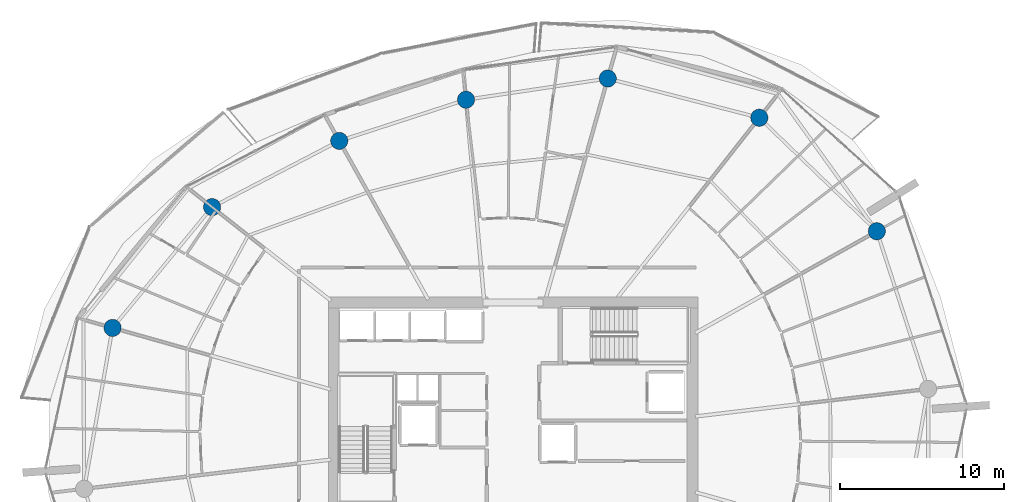
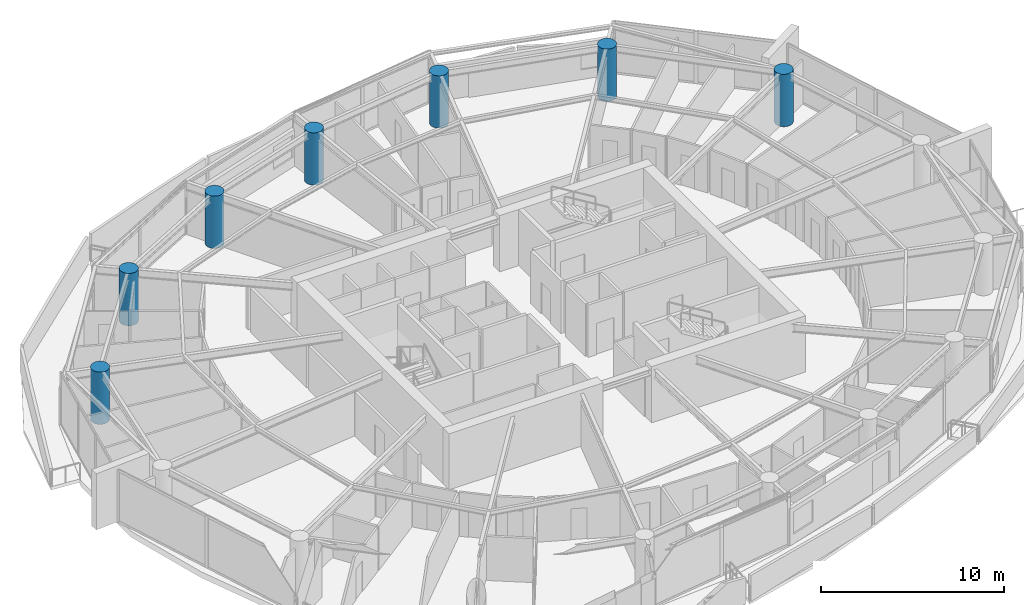
# One storey, part 4 of 21: 7 columns.
"""IFC4 building model written with IfcOpenShell, lengths in metres."""

from ifc_helpers import new_model, si_unit, direction, frame, origin, origin_2d, place, context, subcontext, project, spatial, circle, extrude, material, material_profile, profile_set, type_object, element, save


model = new_model("IFC4")

# Units and contexts
model_context = context("Model", 3, precision=1e-05, world=origin(), true_north=direction((0.0, 1.0)))
body_context = subcontext(model_context, "Body", "Model", "MODEL_VIEW")
ifc_project = project(units=[si_unit("LENGTHUNIT", "METRE"), si_unit("AREAUNIT", "SQUARE_METRE"), si_unit("VOLUMEUNIT", "CUBIC_METRE"), si_unit("PLANEANGLEUNIT", "RADIAN"), si_unit("MASSUNIT", "GRAM", prefix="KILO")], contexts=[model_context])

# Site, building, storey
site_placement = place(None, origin())
site = spatial("IfcSite", under=ifc_project, at=site_placement, CompositionType="ELEMENT")
building_placement = place(site_placement, origin())
building = spatial("IfcBuilding", under=site, at=building_placement, Name="Kazma Halo Residences", CompositionType="ELEMENT")
storey_placement = place(building_placement, frame((0.0, 0.0, 176.550048828125)))
storey = spatial("IfcBuildingStorey", under=building, at=storey_placement, Name="L44", CompositionType="ELEMENT", Elevation=176.550048828125)

# Columns
ifc_material = material(Name="Concrete C80/95", Category="concrete")
ifc_material_profile = material_profile(ifc_material, circle(Radius=0.52490234375, at=origin_2d()), Name="CIRC1050")
ifc_profile_set = profile_set([ifc_material_profile], Name="Concrete C80/95")
column_type = type_object("IfcColumnType", Name="COL-PERIM-1050", PredefinedType="COLUMN", material=ifc_profile_set)
for number, where, z_axis, x_axis, name in (
    (1, (70.625, 54.670654296875, 0.0), (0.0, 0.0, 1.0), (1.0, 0.0, 0.0), "L44 perimeter ring column P01"),
    (2, (63.45068359375, 61.598876953125, 0.0), (0.0, 0.0, 1.0), (1.0, 0.0, 0.0), "L44 perimeter ring column P02"),
    (3, (54.202392578125, 63.99169921875, 0.0), (0.0, 0.0, 1.0), (1.0, 0.0, 0.0), "L44 perimeter ring column P03"),
    (4, (45.550048828125, 62.69970703125, 0.0), (0.0, 0.0, 1.0), (1.0, 0.0, 0.0), "L44 perimeter ring column P04"),
    (5, (37.815185546875, 60.186279296875, 0.0), (0.0, 0.0, 1.0), (1.0, 0.0, 0.0), "L44 perimeter ring column P05"),
    (6, (30.055908203125, 56.14599609375, 0.0), (0.0, 0.0, 1.0), (1.0, 0.0, 0.0), "L44 perimeter ring column P06"),
    (7, (23.980224609375, 48.7744140625, 0.0), (0.0, 0.0, 1.0), (1.0, 0.0, 0.0), "L44 perimeter ring column P07"),
):
    element("IfcColumn", number, at=place(storey_placement, frame(where, z_axis=z_axis, x_axis=x_axis)), inside=storey, type_object=column_type, Name=name, PredefinedType="COLUMN", context=body_context, shape_type="SweptSolid", body=[
        extrude(circle(Radius=0.52490234375, at=origin_2d()), origin(), (0.0, 0.0, 1.0), 3.5),
    ])

save(model, "model.ifc")
